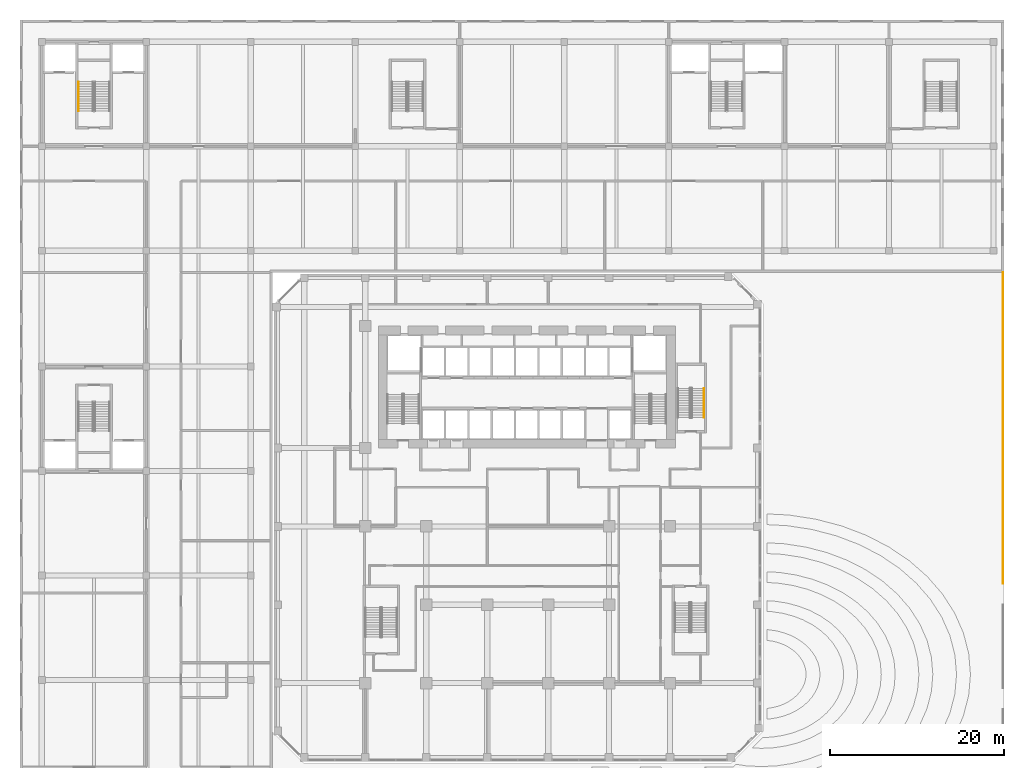
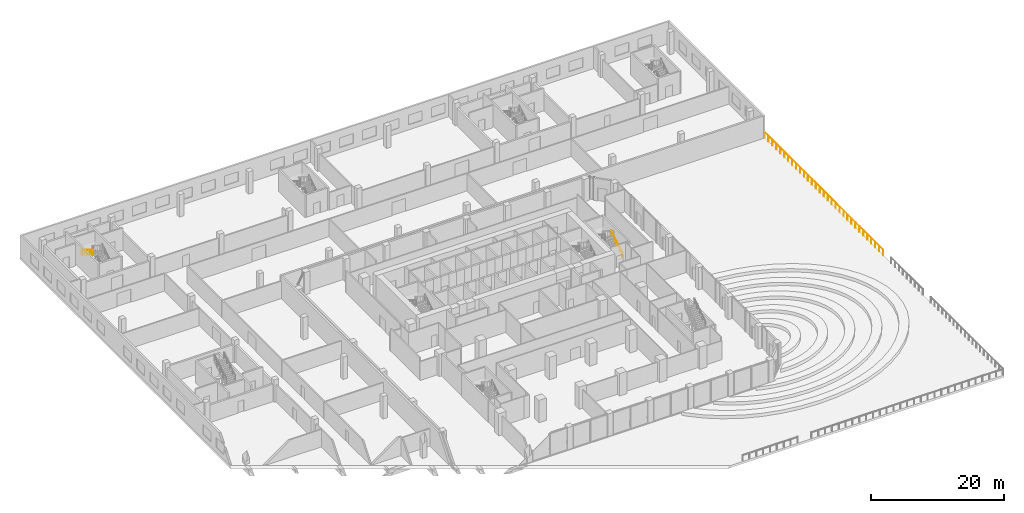
# One storey, part 35 of 38: 3 railings.
"""IFC4 building model written with IfcOpenShell, lengths in metres."""

from ifc_helpers import new_model, si_unit, direction, frame, origin, origin_2d, place, context, subcontext, project, spatial, circle, extrude, material, type_object, element, save


model = new_model("IFC4")

# Units and contexts
model_context = context("Model", 3, precision=1e-05, world=origin(), true_north=direction((0.0, 1.0)))
body_context = subcontext(model_context, "Body", "Model", "MODEL_VIEW")
ifc_project = project(units=[si_unit("LENGTHUNIT", "METRE"), si_unit("AREAUNIT", "SQUARE_METRE"), si_unit("VOLUMEUNIT", "CUBIC_METRE"), si_unit("PLANEANGLEUNIT", "RADIAN"), si_unit("MASSUNIT", "GRAM", prefix="KILO")], contexts=[model_context])

# Site, building, storey
site_placement = place(None, origin())
site = spatial("IfcSite", under=ifc_project, at=site_placement, CompositionType="ELEMENT")
building_placement = place(site_placement, origin())
building = spatial("IfcBuilding", under=site, at=building_placement, Name="Kilnfold Tower and Market Hall", CompositionType="ELEMENT")
storey_placement = place(building_placement, frame((0.0, 0.0, 9.0)))
storey = spatial("IfcBuildingStorey", under=building, at=storey_placement, Name="L01", CompositionType="ELEMENT", Elevation=9.0)

# Railings
ifc_material_1 = material(Name="Stainless steel 316", Category="steel")
railing_type_1 = type_object("IfcRailingType", Name="CORE STAIR HANDRAIL 900", PredefinedType="HANDRAIL", material=ifc_material_1)
railing_1_placement = place(storey_placement, frame((21.39990234375, 11.5, 0.173095703125)))
element("IfcRailing", 1, at=railing_1_placement, inside=storey, type_object=railing_type_1, Name="L01 ST5 stair handrail 1", PredefinedType="HANDRAIL", context=body_context, shape_type="SweptSolid", body=[
    extrude(circle(Radius=0.02392578125, at=origin_2d()), frame((0.0, 0.0, 0.8759765625), z_axis=(0.0, 0.850623216509, 0.525775754039), x_axis=(-1.0, 0.0, 0.0)), (0.0, 0.0, 1.0), 3.9501953125),
    extrude(circle(Radius=0.02099609375, at=origin_2d()), origin(), (0.0, 0.0, 1.0), 0.851806640625),
    extrude(circle(Radius=0.02099609375, at=origin_2d()), frame((0.0, 0.840087890625, 0.519287109375)), (0.0, 0.0, 1.0), 0.851806640625),
    extrude(circle(Radius=0.02099609375, at=origin_2d()), frame((0.0, 1.68017578125, 1.03857421875)), (0.0, 0.0, 1.0), 0.851806640625),
    extrude(circle(Radius=0.02099609375, at=origin_2d()), frame((0.0, 2.52001953125, 1.5576171875)), (0.0, 0.0, 1.0), 0.851806640625),
    extrude(circle(Radius=0.02099609375, at=origin_2d()), frame((0.0, 3.360107421875, 2.076904296875)), (0.0, 0.0, 1.0), 0.851806640625),
])
ifc_material_2 = material(Name="Stainless steel 316", Category="steel")
railing_type_2 = type_object("IfcRailingType", Name="DECK GUARD 1100", PredefinedType="GUARDRAIL", material=ifc_material_2)
railing_2_placement = place(storey_placement, frame((55.75, -7.590087890625, 0.0)))
element("IfcRailing", 2, at=railing_2_placement, inside=storey, type_object=railing_type_2, Name="Garden deck guard east 6", PredefinedType="GUARDRAIL", context=body_context, shape_type="SweptSolid", body=[
    extrude(circle(Radius=0.02392578125, at=origin_2d()), frame((0.0, 0.0, 1.076171875), z_axis=(0.0, 1.0, 0.0), x_axis=(-1.0, 0.0, 0.0)), (0.0, 0.0, 1.0), 35.739990234375),
    extrude(circle(Radius=0.02099609375, at=origin_2d()), origin(), (0.0, 0.0, 1.0), 1.052001953125),
    extrude(circle(Radius=0.02099609375, at=origin_2d()), frame((0.0, 1.19140625, 0.0)), (0.0, 0.0, 1.0), 1.052001953125),
    extrude(circle(Radius=0.02099609375, at=origin_2d()), frame((0.0, 2.382568359375, 0.0)), (0.0, 0.0, 1.0), 1.052001953125),
    extrude(circle(Radius=0.02099609375, at=origin_2d()), frame((0.0, 3.573974609375, 0.0)), (0.0, 0.0, 1.0), 1.052001953125),
    extrude(circle(Radius=0.02099609375, at=origin_2d()), frame((0.0, 4.765380859375, 0.0)), (0.0, 0.0, 1.0), 1.052001953125),
    extrude(circle(Radius=0.02099609375, at=origin_2d()), frame((0.0, 5.95654296875, 0.0)), (0.0, 0.0, 1.0), 1.052001953125),
    extrude(circle(Radius=0.02099609375, at=origin_2d()), frame((0.0, 7.14794921875, 0.0)), (0.0, 0.0, 1.0), 1.052001953125),
    extrude(circle(Radius=0.02099609375, at=origin_2d()), frame((0.0, 8.33935546875, 0.0)), (0.0, 0.0, 1.0), 1.052001953125),
    extrude(circle(Radius=0.02099609375, at=origin_2d()), frame((0.0, 9.53076171875, 0.0)), (0.0, 0.0, 1.0), 1.052001953125),
    extrude(circle(Radius=0.02099609375, at=origin_2d()), frame((0.0, 10.721923828125, 0.0)), (0.0, 0.0, 1.0), 1.052001953125),
    extrude(circle(Radius=0.02099609375, at=origin_2d()), frame((0.0, 11.913330078125, 0.0)), (0.0, 0.0, 1.0), 1.052001953125),
    extrude(circle(Radius=0.02099609375, at=origin_2d()), frame((0.0, 13.104736328125, 0.0)), (0.0, 0.0, 1.0), 1.052001953125),
    extrude(circle(Radius=0.02099609375, at=origin_2d()), frame((0.0, 14.2958984375, 0.0)), (0.0, 0.0, 1.0), 1.052001953125),
    extrude(circle(Radius=0.02099609375, at=origin_2d()), frame((0.0, 15.4873046875, 0.0)), (0.0, 0.0, 1.0), 1.052001953125),
    extrude(circle(Radius=0.02099609375, at=origin_2d()), frame((0.0, 16.6787109375, 0.0)), (0.0, 0.0, 1.0), 1.052001953125),
    extrude(circle(Radius=0.02099609375, at=origin_2d()), frame((0.0, 17.8701171875, 0.0)), (0.0, 0.0, 1.0), 1.052001953125),
    extrude(circle(Radius=0.02099609375, at=origin_2d()), frame((0.0, 19.061279296875, 0.0)), (0.0, 0.0, 1.0), 1.052001953125),
    extrude(circle(Radius=0.02099609375, at=origin_2d()), frame((0.0, 20.252685546875, 0.0)), (0.0, 0.0, 1.0), 1.052001953125),
    extrude(circle(Radius=0.02099609375, at=origin_2d()), frame((0.0, 21.444091796875, 0.0)), (0.0, 0.0, 1.0), 1.052001953125),
    extrude(circle(Radius=0.02099609375, at=origin_2d()), frame((0.0, 22.63525390625, 0.0)), (0.0, 0.0, 1.0), 1.052001953125),
    extrude(circle(Radius=0.02099609375, at=origin_2d()), frame((0.0, 23.82666015625, 0.0)), (0.0, 0.0, 1.0), 1.052001953125),
    extrude(circle(Radius=0.02099609375, at=origin_2d()), frame((0.0, 25.01806640625, 0.0)), (0.0, 0.0, 1.0), 1.052001953125),
    extrude(circle(Radius=0.02099609375, at=origin_2d()), frame((0.0, 26.209228515625, 0.0)), (0.0, 0.0, 1.0), 1.052001953125),
    extrude(circle(Radius=0.02099609375, at=origin_2d()), frame((0.0, 27.400634765625, 0.0)), (0.0, 0.0, 1.0), 1.052001953125),
    extrude(circle(Radius=0.02099609375, at=origin_2d()), frame((0.0, 28.592041015625, 0.0)), (0.0, 0.0, 1.0), 1.052001953125),
    extrude(circle(Radius=0.02099609375, at=origin_2d()), frame((0.0, 29.783203125, 0.0)), (0.0, 0.0, 1.0), 1.052001953125),
    extrude(circle(Radius=0.02099609375, at=origin_2d()), frame((0.0, 30.974609375, 0.0)), (0.0, 0.0, 1.0), 1.052001953125),
    extrude(circle(Radius=0.02099609375, at=origin_2d()), frame((0.0, 32.166015625, 0.0)), (0.0, 0.0, 1.0), 1.052001953125),
    extrude(circle(Radius=0.02099609375, at=origin_2d()), frame((0.0, 33.357421875, 0.0)), (0.0, 0.0, 1.0), 1.052001953125),
    extrude(circle(Radius=0.02099609375, at=origin_2d()), frame((0.0, 34.548583984375, 0.0)), (0.0, 0.0, 1.0), 1.052001953125),
    extrude(circle(Radius=0.02099609375, at=origin_2d()), frame((0.0, 35.739990234375, 0.0)), (0.0, 0.0, 1.0), 1.052001953125),
])
ifc_material_3 = material(Name="Steel S355", Category="steel")
railing_type_3 = type_object("IfcRailingType", Name="HALL STAIR HANDRAIL", PredefinedType="HANDRAIL", material=ifc_material_3)
railing_3_placement = place(storey_placement, frame((-50.449951171875, 50.06005859375, 2.423095703125)))
element("IfcRailing", 3, at=railing_3_placement, inside=storey, type_object=railing_type_3, Name="L01 MS3 stair handrail 2", PredefinedType="HANDRAIL", context=body_context, shape_type="SweptSolid", body=[
    extrude(circle(Radius=0.02392578125, at=origin_2d()), frame((0.0, 0.0, 0.8759765625), z_axis=(0.0, -0.850623216509, 0.525775754039), x_axis=(1.0, 0.0, 0.0)), (0.0, 0.0, 1.0), 3.9501953125),
    extrude(circle(Radius=0.02099609375, at=origin_2d()), origin(), (0.0, 0.0, 1.0), 0.851806640625),
    extrude(circle(Radius=0.02099609375, at=origin_2d()), frame((0.0, -0.840087890625, 0.519287109375)), (0.0, 0.0, 1.0), 0.851806640625),
    extrude(circle(Radius=0.02099609375, at=origin_2d()), frame((0.0, -1.68017578125, 1.03857421875)), (0.0, 0.0, 1.0), 0.851806640625),
    extrude(circle(Radius=0.02099609375, at=origin_2d()), frame((0.0, -2.52001953125, 1.5576171875)), (0.0, 0.0, 1.0), 0.851806640625),
    extrude(circle(Radius=0.02099609375, at=origin_2d()), frame((0.0, -3.360107421875, 2.076904296875)), (0.0, 0.0, 1.0), 0.851806640625),
])

save(model, "model.ifc")
